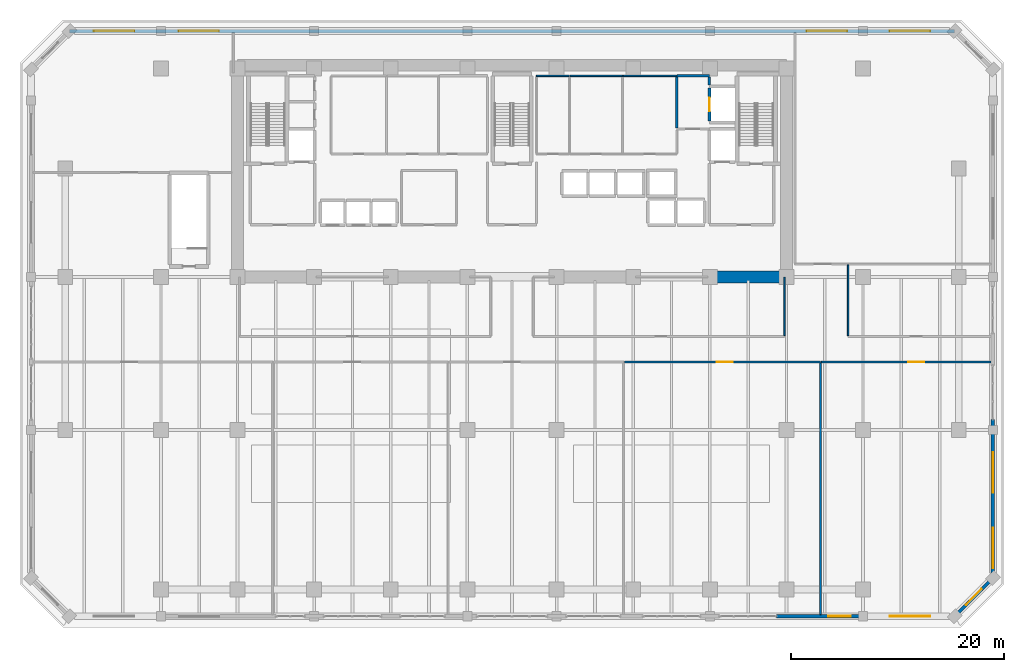
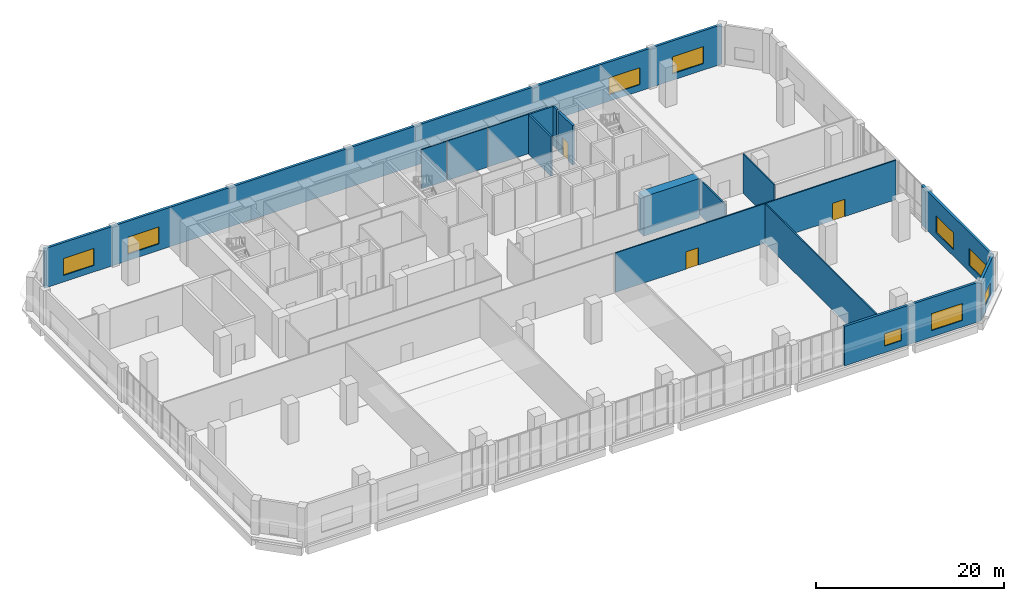
# One storey, part 21 of 25: 17 walls, 9 windows, 3 doors, 12 openings.
"""IFC4 building model written with IfcOpenShell, lengths in metres."""

from ifc_helpers import new_model, si_unit, direction, frame, frame_2d, origin, place, context, subcontext, project, spatial, rectangle, extrude, material, layer, layer_set, type_object, element, fill, save


model = new_model("IFC4")

# Units and contexts
model_context = context("Model", 3, precision=1e-05, world=origin(), true_north=direction((0.0, 1.0)))
body_context = subcontext(model_context, "Body", "Model", "MODEL_VIEW")
ifc_project = project(units=[si_unit("LENGTHUNIT", "METRE"), si_unit("AREAUNIT", "SQUARE_METRE"), si_unit("VOLUMEUNIT", "CUBIC_METRE"), si_unit("PLANEANGLEUNIT", "RADIAN"), si_unit("MASSUNIT", "GRAM", prefix="KILO")], contexts=[model_context])

# Site, building, storey
site_placement = place(None, origin())
site = spatial("IfcSite", under=ifc_project, at=site_placement, CompositionType="ELEMENT")
building_placement = place(site_placement, origin())
building = spatial("IfcBuilding", under=site, at=building_placement, Name="Kaelvorn Grand Hotel", CompositionType="ELEMENT")
storey_placement = place(building_placement, frame((0.0, 0.0, 26.0)))
storey = spatial("IfcBuildingStorey", under=building, at=storey_placement, Name="L04", CompositionType="ELEMENT", Elevation=26.0)

# Wall
ifc_material_1 = material(Name="Concrete C80/95", Category="concrete")
ifc_layer_1 = layer(ifc_material_1, 1.10009765625)
ifc_layer_set_1 = layer_set([ifc_layer_1], Name="Concrete C80/95")
wall_type_1 = type_object("IfcWallType", Name="WL-CORE-1100-C80", PredefinedType="SHEAR", material=ifc_layer_set_1)
wall_1_placement = place(storey_placement, frame((60.39990234375, 29.39990234375, 0.0), z_axis=(0.0, 0.0, 1.0), x_axis=(1.0, 0.0, 0.0)))
element("IfcWall", 1, at=wall_1_placement, inside=storey, type_object=wall_type_1, Name="L04 Rear-Core Coupled Shear Pier S4", PredefinedType="SHEAR", context=body_context, shape_type="SweptSolid", body=[
    extrude(rectangle(XDim=6.84521484375, YDim=1.10009765625, at=frame_2d((3.422607421875, 0.0))), origin(), (0.0, 0.0, 1.0), 5.1201171875),
])

# Wall, openings, windows
ifc_material_2 = material(Name="Concrete C40/50", Category="concrete")
ifc_layer_2 = layer(ifc_material_2, 0.300048828125)
ifc_layer_set_2 = layer_set([ifc_layer_2], Name="Concrete C40/50")
wall_type_2 = type_object("IfcWallType", Name="WL-EXT-300-C40", PredefinedType="SOLIDWALL", material=ifc_layer_set_2)
wall_2_placement = place(storey_placement, frame((66.875, -2.5, 0.0), z_axis=(0.0, 0.0, 1.0), x_axis=(1.0, 0.0, 0.0)))
wall_2 = element("IfcWall", 2, at=wall_2_placement, inside=storey, type_object=wall_type_2, Name="L04 Exterior Architectural Concrete Wall 01 Pier 8", PredefinedType="SOLIDWALL", context=body_context, shape_type="SweptSolid", body=[
    extrude(rectangle(XDim=16.72509765625, YDim=0.300048828125, at=frame_2d((8.362548828125, 0.0))), origin(), (0.0, 0.0, 1.0), 5.1201171875),
])
opening_1_placement = place(wall_2_placement, frame((4.875, 0.0, 0.85009765625)))
opening_1 = element("IfcOpeningElement", 3, at=opening_1_placement, cuts=wall_2, Name="Opening W7", PredefinedType="OPENING", context=body_context, shape_type="SweptSolid", body=[
    extrude(rectangle(XDim=2.10009765625, YDim=1.60009765625, at=frame_2d((1.050048828125, 0.800048828125))), frame((0.0, 0.16015625, 0.0), z_axis=(0.0, -1.0, 0.0), x_axis=(1.0, 0.0, 0.0)), (0.0, 0.0, 1.0), 0.320068359375),
])
opening_2_placement = place(wall_2_placement, frame((10.64990234375, 0.0, 0.85009765625)))
opening_2 = element("IfcOpeningElement", 4, at=opening_2_placement, cuts=wall_2, Name="Opening W9", PredefinedType="OPENING", context=body_context, shape_type="SweptSolid", body=[
    extrude(rectangle(XDim=3.800048828125, YDim=2.199951171875, at=frame_2d((1.89990234375, 1.10009765625))), frame((0.0, 0.16015625, 0.0), z_axis=(0.0, -1.0, 0.0), x_axis=(1.0, 0.0, 0.0)), (0.0, 0.0, 1.0), 0.320068359375),
])
ifc_material_3 = material(Name="Laminated Low-E Glass", Category="glass")
window_type_1 = type_object("IfcWindowType", Name="WIN-CHM-2100x1600", PartitioningType="SINGLE_PANEL", PredefinedType="WINDOW", material=ifc_material_3)
window_1_placement = place(opening_1_placement, origin())
window_1 = element("IfcWindow", 5, at=window_1_placement, inside=storey, type_object=window_type_1, Name="L04 Podium South Ribbon Window 1", OverallHeight=1.60009765625, OverallWidth=2.10009765625, PartitioningType="SINGLE_PANEL", PredefinedType="WINDOW", context=body_context, shape_type="SweptSolid", body=[
    extrude(rectangle(XDim=2.10009765625, YDim=1.60009765625, at=frame_2d((1.050048828125, 0.800048828125))), frame((0.0, 0.030029296875, 0.0), z_axis=(0.0, -1.0, 0.0), x_axis=(1.0, 0.0, 0.0)), (0.0, 0.0, 1.0), 0.06005859375),
])
fill(opening_1, window_1)
window_type_2 = type_object("IfcWindowType", Name="WIN-POD-3800x2200", PartitioningType="SINGLE_PANEL", PredefinedType="WINDOW", material=ifc_material_3)
window_2_placement = place(opening_2_placement, origin())
window_2 = element("IfcWindow", 6, at=window_2_placement, inside=storey, type_object=window_type_2, Name="L04 Podium South Ribbon Window 2", OverallHeight=2.199951171875, OverallWidth=3.800048828125, PartitioningType="SINGLE_PANEL", PredefinedType="WINDOW", context=body_context, shape_type="SweptSolid", body=[
    extrude(rectangle(XDim=3.800048828125, YDim=2.199951171875, at=frame_2d((1.89990234375, 1.10009765625))), frame((0.0, 0.030029296875, 0.0), z_axis=(0.0, -1.0, 0.0), x_axis=(1.0, 0.0, 0.0)), (0.0, 0.0, 1.0), 0.06005859375),
])
fill(opening_2, window_2)

# Wall, opening, window
wall_3_placement = place(storey_placement, frame((83.60009765625, -2.5, 0.0), z_axis=(0.0, 0.0, 1.0), x_axis=(0.707082803744, 0.707130757816, 0.0)))
wall_3 = element("IfcWall", 7, at=wall_3_placement, inside=storey, type_object=wall_type_2, Name="L04 Exterior Architectural Concrete Wall 02", PredefinedType="SOLIDWALL", context=body_context, shape_type="SweptSolid", body=[
    extrude(rectangle(XDim=5.091064453125, YDim=0.300048828125, at=frame_2d((2.54541015625, 0.0))), origin(), (0.0, 0.0, 1.0), 5.1201171875),
])
opening_3_placement = place(wall_3_placement, frame((1.49560546875, 0.0, 0.85009765625)))
opening_3 = element("IfcOpeningElement", 8, at=opening_3_placement, cuts=wall_3, Name="Opening W7", PredefinedType="OPENING", context=body_context, shape_type="SweptSolid", body=[
    extrude(rectangle(XDim=2.10009765625, YDim=1.60009765625, at=frame_2d((1.050048828125, 0.800048828125))), frame((0.0, 0.16015625, 0.0), z_axis=(0.0, -1.0, 0.0), x_axis=(1.0, 0.0, 0.0)), (0.0, 0.0, 1.0), 0.320068359375),
])
window_3_placement = place(opening_3_placement, origin())
window_3 = element("IfcWindow", 9, at=window_3_placement, inside=storey, type_object=window_type_1, Name="L04 Chamfered 45-Degree Corner Window SE", OverallHeight=1.60009765625, OverallWidth=2.10009765625, PartitioningType="SINGLE_PANEL", PredefinedType="WINDOW", context=body_context, shape_type="SweptSolid", body=[
    extrude(rectangle(XDim=2.10009765625, YDim=1.60009765625, at=frame_2d((1.050048828125, 0.800048828125))), frame((0.0, 0.030029296875, 0.0), z_axis=(0.0, -1.0, 0.0), x_axis=(1.0, 0.0, 0.0)), (0.0, 0.0, 1.0), 0.06005859375),
])
fill(opening_3, window_3)

# Wall, openings, windows
wall_4_placement = place(storey_placement, frame((87.199951171875, 1.10009765625, 0.0), z_axis=(0.0, 0.0, 1.0), x_axis=(0.0, 1.0, 0.0)))
wall_4 = element("IfcWall", 10, at=wall_4_placement, inside=storey, type_object=wall_type_2, Name="L04 Exterior Architectural Concrete Wall 03 Pier 1", PredefinedType="SOLIDWALL", context=body_context, shape_type="SweptSolid", body=[
    extrude(rectangle(XDim=14.90478515625, YDim=0.300048828125, at=frame_2d((7.452392578125, 0.0))), origin(), (0.0, 0.0, 1.0), 5.1201171875),
])
opening_4_placement = place(wall_4_placement, frame((0.925048828125, 0.0, 0.85009765625)))
opening_4 = element("IfcOpeningElement", 11, at=opening_4_placement, cuts=wall_4, Name="Opening W9", PredefinedType="OPENING", context=body_context, shape_type="SweptSolid", body=[
    extrude(rectangle(XDim=3.800048828125, YDim=2.199951171875, at=frame_2d((1.89990234375, 1.10009765625))), frame((0.0, 0.16015625, 0.0), z_axis=(0.0, -1.0, 0.0), x_axis=(1.0, 0.0, 0.0)), (0.0, 0.0, 1.0), 0.320068359375),
])
opening_5_placement = place(wall_4_placement, frame((8.0, 0.0, 0.85009765625)))
opening_5 = element("IfcOpeningElement", 12, at=opening_5_placement, cuts=wall_4, Name="Opening W9", PredefinedType="OPENING", context=body_context, shape_type="SweptSolid", body=[
    extrude(rectangle(XDim=3.800048828125, YDim=2.199951171875, at=frame_2d((1.89990234375, 1.10009765625))), frame((0.0, 0.16015625, 0.0), z_axis=(0.0, -1.0, 0.0), x_axis=(1.0, 0.0, 0.0)), (0.0, 0.0, 1.0), 0.320068359375),
])
window_4_placement = place(opening_4_placement, origin())
window_4 = element("IfcWindow", 13, at=window_4_placement, inside=storey, type_object=window_type_2, Name="L04 Podium E Ribbon Window 1", OverallHeight=2.199951171875, OverallWidth=3.800048828125, PartitioningType="SINGLE_PANEL", PredefinedType="WINDOW", context=body_context, shape_type="SweptSolid", body=[
    extrude(rectangle(XDim=3.800048828125, YDim=2.199951171875, at=frame_2d((1.89990234375, 1.10009765625))), frame((0.0, 0.030029296875, 0.0), z_axis=(0.0, -1.0, 0.0), x_axis=(1.0, 0.0, 0.0)), (0.0, 0.0, 1.0), 0.06005859375),
])
fill(opening_4, window_4)
window_5_placement = place(opening_5_placement, origin())
window_5 = element("IfcWindow", 14, at=window_5_placement, inside=storey, type_object=window_type_2, Name="L04 Podium E Ribbon Window 2", OverallHeight=2.199951171875, OverallWidth=3.800048828125, PartitioningType="SINGLE_PANEL", PredefinedType="WINDOW", context=body_context, shape_type="SweptSolid", body=[
    extrude(rectangle(XDim=3.800048828125, YDim=2.199951171875, at=frame_2d((1.89990234375, 1.10009765625))), frame((0.0, 0.030029296875, 0.0), z_axis=(0.0, -1.0, 0.0), x_axis=(1.0, 0.0, 0.0)), (0.0, 0.0, 1.0), 0.06005859375),
])
fill(opening_5, window_5)

wall_5_placement = place(storey_placement, frame((83.60009765625, 52.5, 0.0), z_axis=(0.0, 0.0, 1.0), x_axis=(-1.0, 0.0, 0.0)))
wall_5 = element("IfcWall", 15, at=wall_5_placement, inside=storey, type_object=wall_type_2, Name="L04 Exterior Architectural Concrete Wall 05", PredefinedType="SOLIDWALL", context=body_context, shape_type="SweptSolid", body=[
    extrude(rectangle(XDim=83.2001953125, YDim=0.300048828125, at=frame_2d((41.60009765625, 0.0))), origin(), (0.0, 0.0, 1.0), 5.1201171875),
])
opening_6_placement = place(wall_5_placement, frame((77.10009765625, 0.0, 0.85009765625)))
opening_6 = element("IfcOpeningElement", 16, at=opening_6_placement, cuts=wall_5, Name="Opening W9", PredefinedType="OPENING", context=body_context, shape_type="SweptSolid", body=[
    extrude(rectangle(XDim=3.800048828125, YDim=2.199951171875, at=frame_2d((1.89990234375, 1.10009765625))), frame((0.0, 0.16015625, 0.0), z_axis=(0.0, -1.0, 0.0), x_axis=(1.0, 0.0, 0.0)), (0.0, 0.0, 1.0), 0.320068359375),
])
opening_7_placement = place(wall_5_placement, frame((69.14990234375, 0.0, 0.85009765625)))
opening_7 = element("IfcOpeningElement", 17, at=opening_7_placement, cuts=wall_5, Name="Opening W9", PredefinedType="OPENING", context=body_context, shape_type="SweptSolid", body=[
    extrude(rectangle(XDim=3.800048828125, YDim=2.199951171875, at=frame_2d((1.89990234375, 1.10009765625))), frame((0.0, 0.16015625, 0.0), z_axis=(0.0, -1.0, 0.0), x_axis=(1.0, 0.0, 0.0)), (0.0, 0.0, 1.0), 0.320068359375),
])
opening_8_placement = place(wall_5_placement, frame((10.10009765625, 0.0, 0.85009765625)))
opening_8 = element("IfcOpeningElement", 18, at=opening_8_placement, cuts=wall_5, Name="Opening W9", PredefinedType="OPENING", context=body_context, shape_type="SweptSolid", body=[
    extrude(rectangle(XDim=3.800048828125, YDim=2.199951171875, at=frame_2d((1.89990234375, 1.10009765625))), frame((0.0, 0.16015625, 0.0), z_axis=(0.0, -1.0, 0.0), x_axis=(1.0, 0.0, 0.0)), (0.0, 0.0, 1.0), 0.320068359375),
])
opening_9_placement = place(wall_5_placement, frame((2.300048828125, 0.0, 0.85009765625)))
opening_9 = element("IfcOpeningElement", 19, at=opening_9_placement, cuts=wall_5, Name="Opening W9", PredefinedType="OPENING", context=body_context, shape_type="SweptSolid", body=[
    extrude(rectangle(XDim=3.800048828125, YDim=2.199951171875, at=frame_2d((1.89990234375, 1.10009765625))), frame((0.0, 0.16015625, 0.0), z_axis=(0.0, -1.0, 0.0), x_axis=(1.0, 0.0, 0.0)), (0.0, 0.0, 1.0), 0.320068359375),
])
window_6_placement = place(opening_6_placement, origin())
window_6 = element("IfcWindow", 20, at=window_6_placement, inside=storey, type_object=window_type_2, Name="L04 Podium NW Ribbon Window 1", OverallHeight=2.199951171875, OverallWidth=3.800048828125, PartitioningType="SINGLE_PANEL", PredefinedType="WINDOW", context=body_context, shape_type="SweptSolid", body=[
    extrude(rectangle(XDim=3.800048828125, YDim=2.199951171875, at=frame_2d((1.89990234375, 1.10009765625))), frame((0.0, 0.030029296875, 0.0), z_axis=(0.0, -1.0, 0.0), x_axis=(1.0, 0.0, 0.0)), (0.0, 0.0, 1.0), 0.06005859375),
])
fill(opening_6, window_6)
window_7_placement = place(opening_7_placement, origin())
window_7 = element("IfcWindow", 21, at=window_7_placement, inside=storey, type_object=window_type_2, Name="L04 Podium NW Ribbon Window 2", OverallHeight=2.199951171875, OverallWidth=3.800048828125, PartitioningType="SINGLE_PANEL", PredefinedType="WINDOW", context=body_context, shape_type="SweptSolid", body=[
    extrude(rectangle(XDim=3.800048828125, YDim=2.199951171875, at=frame_2d((1.89990234375, 1.10009765625))), frame((0.0, 0.030029296875, 0.0), z_axis=(0.0, -1.0, 0.0), x_axis=(1.0, 0.0, 0.0)), (0.0, 0.0, 1.0), 0.06005859375),
])
fill(opening_7, window_7)
window_8_placement = place(opening_8_placement, origin())
window_8 = element("IfcWindow", 22, at=window_8_placement, inside=storey, type_object=window_type_2, Name="L04 Podium NE Ribbon Window 1", OverallHeight=2.199951171875, OverallWidth=3.800048828125, PartitioningType="SINGLE_PANEL", PredefinedType="WINDOW", context=body_context, shape_type="SweptSolid", body=[
    extrude(rectangle(XDim=3.800048828125, YDim=2.199951171875, at=frame_2d((1.89990234375, 1.10009765625))), frame((0.0, 0.030029296875, 0.0), z_axis=(0.0, -1.0, 0.0), x_axis=(1.0, 0.0, 0.0)), (0.0, 0.0, 1.0), 0.06005859375),
])
fill(opening_8, window_8)
window_9_placement = place(opening_9_placement, origin())
window_9 = element("IfcWindow", 23, at=window_9_placement, inside=storey, type_object=window_type_2, Name="L04 Podium NE Ribbon Window 2", OverallHeight=2.199951171875, OverallWidth=3.800048828125, PartitioningType="SINGLE_PANEL", PredefinedType="WINDOW", context=body_context, shape_type="SweptSolid", body=[
    extrude(rectangle(XDim=3.800048828125, YDim=2.199951171875, at=frame_2d((1.89990234375, 1.10009765625))), frame((0.0, 0.030029296875, 0.0), z_axis=(0.0, -1.0, 0.0), x_axis=(1.0, 0.0, 0.0)), (0.0, 0.0, 1.0), 0.06005859375),
])
fill(opening_9, window_9)

# Walls
ifc_material_4 = material(Name="Moisture-Resistant Tile & Stud Board")
ifc_layer_3 = layer(ifc_material_4, 0.125)
ifc_layer_set_3 = layer_set([ifc_layer_3], Name="Moisture-Resistant Tile & Stud Board")
wall_type_3 = type_object("IfcWallType", Name="WL-PART-125-WET", PredefinedType="PARTITIONING", material=ifc_layer_set_3)
wall_6_placement = place(storey_placement, frame((44.300048828125, 48.300048828125, 0.0), z_axis=(0.0, 0.0, 1.0), x_axis=(1.0, 0.0, 0.0)))
element("IfcWall", 24, at=wall_6_placement, inside=storey, type_object=wall_type_3, Name="L04 Accessible WC N Partition", PredefinedType="PARTITIONING", context=body_context, shape_type="SweptSolid", body=[
    extrude(rectangle(XDim=3.099853515625, YDim=0.125, at=frame_2d((1.5498046875, 0.0))), origin(), (0.0, 0.0, 1.0), 5.1201171875),
])
wall_7_placement = place(storey_placement, frame((47.467529296875, 48.300048828125, 0.0), z_axis=(0.0, 0.0, 1.0), x_axis=(1.0, 0.0, 0.0)))
element("IfcWall", 25, at=wall_7_placement, inside=storey, type_object=wall_type_3, Name="L04 Male Staff & Guest Toilets N Partition", PredefinedType="PARTITIONING", context=body_context, shape_type="SweptSolid", body=[
    extrude(rectangle(XDim=4.932373046875, YDim=0.125, at=frame_2d((2.46630859375, 0.0))), origin(), (0.0, 0.0, 1.0), 5.1201171875),
])
wall_8_placement = place(storey_placement, frame((52.467529296875, 48.300048828125, 0.0), z_axis=(0.0, 0.0, 1.0), x_axis=(1.0, 0.0, 0.0)))
element("IfcWall", 26, at=wall_8_placement, inside=storey, type_object=wall_type_3, Name="L04 Female Staff & Guest Toilets N Partition", PredefinedType="PARTITIONING", context=body_context, shape_type="SweptSolid", body=[
    extrude(rectangle(XDim=5.0224609375, YDim=0.125, at=frame_2d((2.51123046875, 0.0))), origin(), (0.0, 0.0, 1.0), 5.1201171875),
])
ifc_material_5 = material(Name="Acoustic Gypsum & Stud Partition")
ifc_layer_4 = layer(ifc_material_5, 0.14990234375)
ifc_layer_set_4 = layer_set([ifc_layer_4], Name="Acoustic Gypsum & Stud Partition")
wall_type_4 = type_object("IfcWallType", Name="WL-PART-150-EI60", PredefinedType="PARTITIONING", material=ifc_layer_set_4)
wall_9_placement = place(storey_placement, frame((73.60009765625, 23.8798828125, 0.0), z_axis=(0.0, 0.0, 1.0), x_axis=(0.0, 1.0, 0.0)))
element("IfcWall", 27, at=wall_9_placement, inside=storey, type_object=wall_type_4, Name="L04 L04 East Podium Support Office W Partition", PredefinedType="PARTITIONING", context=body_context, shape_type="SweptSolid", body=[
    extrude(rectangle(XDim=6.64013671875, YDim=0.14990234375, at=frame_2d((3.320068359375, 0.0))), origin(), (0.0, 0.0, 1.0), 5.1201171875),
])

# Wall, opening, door
wall_10_placement = place(storey_placement, frame((52.580078125, 21.39990234375, 0.0), z_axis=(0.0, 0.0, 1.0), x_axis=(1.0, 0.0, 0.0)))
wall_10 = element("IfcWall", 28, at=wall_10_placement, inside=storey, type_object=wall_type_4, Name="L04 Tropical Hydrotherapy & Wellness Lounge N Partition", PredefinedType="PARTITIONING", context=body_context, shape_type="SweptSolid", body=[
    extrude(rectangle(XDim=18.419921875, YDim=0.14990234375, at=frame_2d((9.2099609375, 0.0))), origin(), (0.0, 0.0, 1.0), 5.1201171875),
])
opening_10_placement = place(wall_10_placement, frame((8.669921875, 0.0, 0.0)))
opening_10 = element("IfcOpeningElement", 29, at=opening_10_placement, cuts=wall_10, Name="Opening DI5", PredefinedType="OPENING", context=body_context, shape_type="SweptSolid", body=[
    extrude(rectangle(XDim=1.5, YDim=2.25, at=frame_2d((0.75, 1.125))), frame((0.0, 0.0849609375, 0.0), z_axis=(0.0, -1.0, 0.0), x_axis=(1.0, 0.0, 0.0)), (0.0, 0.0, 1.0), 0.169921875),
])
ifc_material_6 = material(Name="Timber Veneer Fire Leaf", Category="wood")
door_type_1 = type_object("IfcDoorType", Name="DR-INT-SALON-1500x2250", OperationType="DOUBLE_DOOR_SINGLE_SWING", PredefinedType="DOOR", material=ifc_material_6)
door_1_placement = place(opening_10_placement, origin())
door_1 = element("IfcDoor", 30, at=door_1_placement, inside=storey, type_object=door_type_1, Name="L04 Tropical Hydrotherapy & Wellness Lounge Door", OperationType="DOUBLE_DOOR_SINGLE_SWING", OverallHeight=2.25, OverallWidth=1.5, PredefinedType="DOOR", context=body_context, shape_type="SweptSolid", body=[
    extrude(rectangle(XDim=1.5, YDim=2.25, at=frame_2d((0.75, 1.125))), frame((0.0, 0.02490234375, 0.0), z_axis=(0.0, -1.0, 0.0), x_axis=(1.0, 0.0, 0.0)), (0.0, 0.0, 1.0), 0.050048828125),
])
fill(opening_10, door_1)

# Wall
wall_11_placement = place(storey_placement, frame((71.0, -2.344970703125, 0.0), z_axis=(0.0, 0.0, 1.0), x_axis=(0.0, 1.0, 0.0)))
element("IfcWall", 31, at=wall_11_placement, inside=storey, type_object=wall_type_4, Name="L04 Tropical Hydrotherapy & Wellness Lounge E Partition", PredefinedType="PARTITIONING", context=body_context, shape_type="SweptSolid", body=[
    extrude(rectangle(XDim=23.6650390625, YDim=0.14990234375, at=frame_2d((11.83251953125, 0.0))), origin(), (0.0, 0.0, 1.0), 5.1201171875),
])

# Wall, opening, door
wall_12_placement = place(storey_placement, frame((71.080078125, 21.39990234375, 0.0), z_axis=(0.0, 0.0, 1.0), x_axis=(1.0, 0.0, 0.0)))
wall_12 = element("IfcWall", 32, at=wall_12_placement, inside=storey, type_object=wall_type_4, Name="L04 Hotel Fitness & Lap Pool Pavilion N Partition", PredefinedType="PARTITIONING", context=body_context, shape_type="SweptSolid", body=[
    extrude(rectangle(XDim=15.96484375, YDim=0.14990234375, at=frame_2d((7.982421875, 0.0))), origin(), (0.0, 0.0, 1.0), 5.1201171875),
])
opening_11_placement = place(wall_12_placement, frame((8.169921875, 0.0, 0.0)))
opening_11 = element("IfcOpeningElement", 33, at=opening_11_placement, cuts=wall_12, Name="Opening DI5", PredefinedType="OPENING", context=body_context, shape_type="SweptSolid", body=[
    extrude(rectangle(XDim=1.5, YDim=2.25, at=frame_2d((0.75, 1.125))), frame((0.0, 0.0849609375, 0.0), z_axis=(0.0, -1.0, 0.0), x_axis=(1.0, 0.0, 0.0)), (0.0, 0.0, 1.0), 0.169921875),
])
door_2_placement = place(opening_11_placement, origin())
door_2 = element("IfcDoor", 34, at=door_2_placement, inside=storey, type_object=door_type_1, Name="L04 Hotel Fitness & Lap Pool Pavilion Door", OperationType="DOUBLE_DOOR_SINGLE_SWING", OverallHeight=2.25, OverallWidth=1.5, PredefinedType="DOOR", context=body_context, shape_type="SweptSolid", body=[
    extrude(rectangle(XDim=1.5, YDim=2.25, at=frame_2d((0.75, 1.125))), frame((0.0, 0.02490234375, 0.0), z_axis=(0.0, -1.0, 0.0), x_axis=(1.0, 0.0, 0.0)), (0.0, 0.0, 1.0), 0.050048828125),
])
fill(opening_11, door_2)

# Walls
wall_13_placement = place(storey_placement, frame((67.60009765625, 23.8798828125, 0.0), z_axis=(0.0, 0.0, 1.0), x_axis=(0.0, 1.0, 0.0)))
element("IfcWall", 35, at=wall_13_placement, inside=storey, type_object=wall_type_4, Name="L04 Business Secretariat & Press Centre E Partition", PredefinedType="PARTITIONING", context=body_context, shape_type="SweptSolid", body=[
    extrude(rectangle(XDim=5.510009765625, YDim=0.14990234375, at=frame_2d((2.7548828125, 0.0))), origin(), (0.0, 0.0, 1.0), 4.626953125),
])
ifc_layer_5 = layer(ifc_material_2, 0.219970703125)
ifc_layer_set_5 = layer_set([ifc_layer_5], Name="Concrete C40/50")
wall_type_5 = type_object("IfcWallType", Name="WL-PART-220-EI120", PredefinedType="PARTITIONING", material=ifc_layer_set_5)
wall_14_placement = place(storey_placement, frame((57.5, 48.300048828125, 0.0), z_axis=(0.0, 0.0, 1.0), x_axis=(1.0, 0.0, 0.0)))
element("IfcWall", 36, at=wall_14_placement, inside=storey, type_object=wall_type_5, Name="L04 Service Lift Lobby N Partition", PredefinedType="PARTITIONING", context=body_context, shape_type="SweptSolid", body=[
    extrude(rectangle(XDim=3.050048828125, YDim=0.219970703125, at=frame_2d((1.52490234375, 0.0))), origin(), (0.0, 0.0, 1.0), 5.1201171875),
])
wall_15_placement = place(storey_placement, frame((57.5, 43.4150390625, 0.0), z_axis=(0.0, 0.0, 1.0), x_axis=(0.0, 1.0, 0.0)))
element("IfcWall", 37, at=wall_15_placement, inside=storey, type_object=wall_type_5, Name="L04 Service Lift Lobby W Partition", PredefinedType="PARTITIONING", context=body_context, shape_type="SweptSolid", body=[
    extrude(rectangle(XDim=4.77001953125, YDim=0.219970703125, at=frame_2d((2.385009765625, 0.0))), origin(), (0.0, 0.0, 1.0), 5.1201171875),
])
wall_16_placement = place(storey_placement, frame((60.550048828125, 47.445068359375, 0.0), z_axis=(0.0, 0.0, 1.0), x_axis=(0.0, 1.0, 0.0)))
element("IfcWall", 38, at=wall_16_placement, inside=storey, type_object=wall_type_5, Name="L04 Service Lift Lobby E Partition", PredefinedType="PARTITIONING", context=body_context, shape_type="SweptSolid", body=[
    extrude(rectangle(XDim=0.739990234375, YDim=0.219970703125, at=frame_2d((0.3701171875, 0.0))), origin(), (0.0, 0.0, 1.0), 5.1201171875),
])

# Wall, opening, door
ifc_material_7 = material(Name="Concrete C50/60", Category="concrete")
ifc_layer_6 = layer(ifc_material_7, 0.280029296875)
ifc_layer_set_6 = layer_set([ifc_layer_6], Name="Concrete C50/60")
wall_type_6 = type_object("IfcWallType", Name="WL-SHAFT-280-C50", PredefinedType="SHEAR", material=ifc_layer_set_6)
wall_17_placement = place(storey_placement, frame((60.550048828125, 44.044921875, 0.0), z_axis=(0.0, 0.0, 1.0), x_axis=(0.0, 1.0, 0.0)))
wall_17 = element("IfcWall", 39, at=wall_17_placement, inside=storey, type_object=wall_type_6, Name="L04 Lift SV1 Shaft West Wall", PredefinedType="SHEAR", context=body_context, shape_type="SweptSolid", body=[
    extrude(rectangle(XDim=3.110107421875, YDim=0.280029296875, at=frame_2d((1.55517578125, 0.0))), origin(), (0.0, 0.0, 1.0), 5.1201171875),
])
opening_12_placement = place(wall_17_placement, frame((0.905029296875, 0.0, 0.0)))
opening_12 = element("IfcOpeningElement", 40, at=opening_12_placement, cuts=wall_17, Name="Opening LD-SV1", PredefinedType="OPENING", context=body_context, shape_type="SweptSolid", body=[
    extrude(rectangle(XDim=1.300048828125, YDim=2.300048828125, at=frame_2d((0.64990234375, 1.14990234375))), frame((0.0, 0.14990234375, 0.0), z_axis=(0.0, -1.0, 0.0), x_axis=(1.0, 0.0, 0.0)), (0.0, 0.0, 1.0), 0.300048828125),
])
ifc_material_8 = material(Name="Stainless Steel", Category="steel")
door_type_2 = type_object("IfcDoorType", Name="DR-LIFT-SERV-1300x2300", OperationType="DOUBLE_DOOR_SLIDING", PredefinedType="DOOR", material=ifc_material_8)
door_3_placement = place(opening_12_placement, origin())
door_3 = element("IfcDoor", 41, at=door_3_placement, inside=storey, type_object=door_type_2, Name="L04 Lift SV1 Sliding Landing Door LD-SV1", OperationType="DOUBLE_DOOR_SLIDING", OverallHeight=2.300048828125, OverallWidth=1.300048828125, PredefinedType="DOOR", context=body_context, shape_type="SweptSolid", body=[
    extrude(rectangle(XDim=1.300048828125, YDim=2.300048828125, at=frame_2d((0.64990234375, 1.14990234375))), frame((0.0, 0.02490234375, 0.0), z_axis=(0.0, -1.0, 0.0), x_axis=(1.0, 0.0, 0.0)), (0.0, 0.0, 1.0), 0.050048828125),
])
fill(opening_12, door_3)

save(model, "model.ifc")
